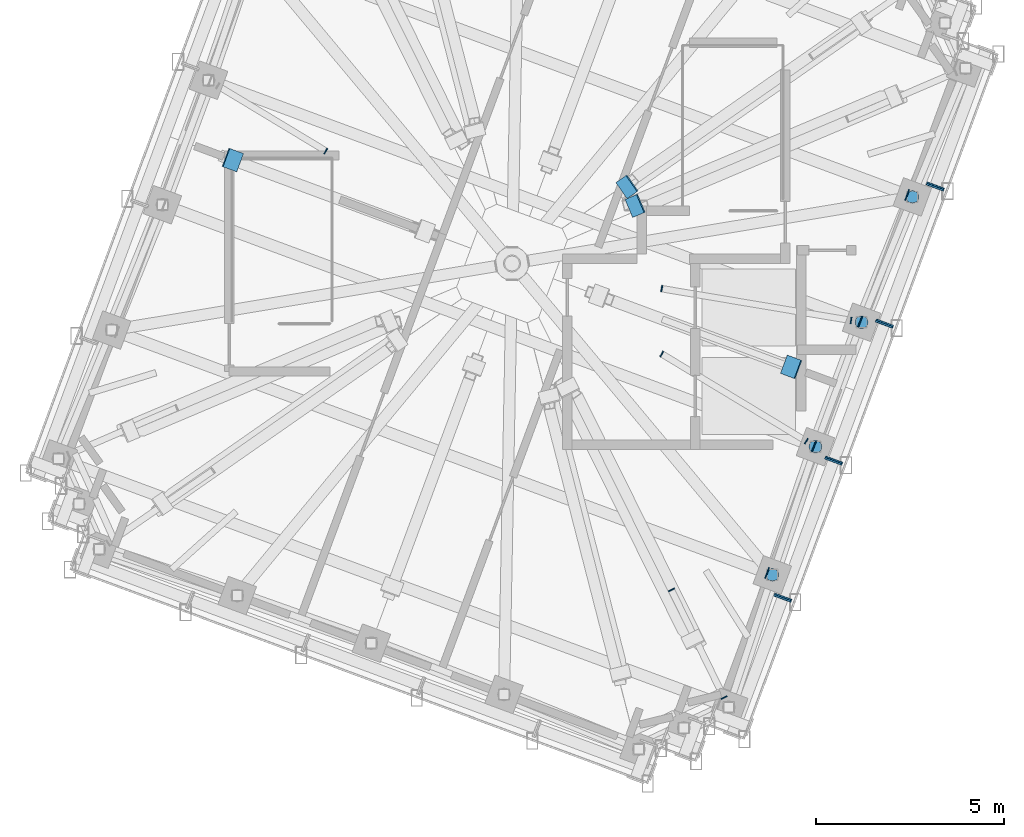
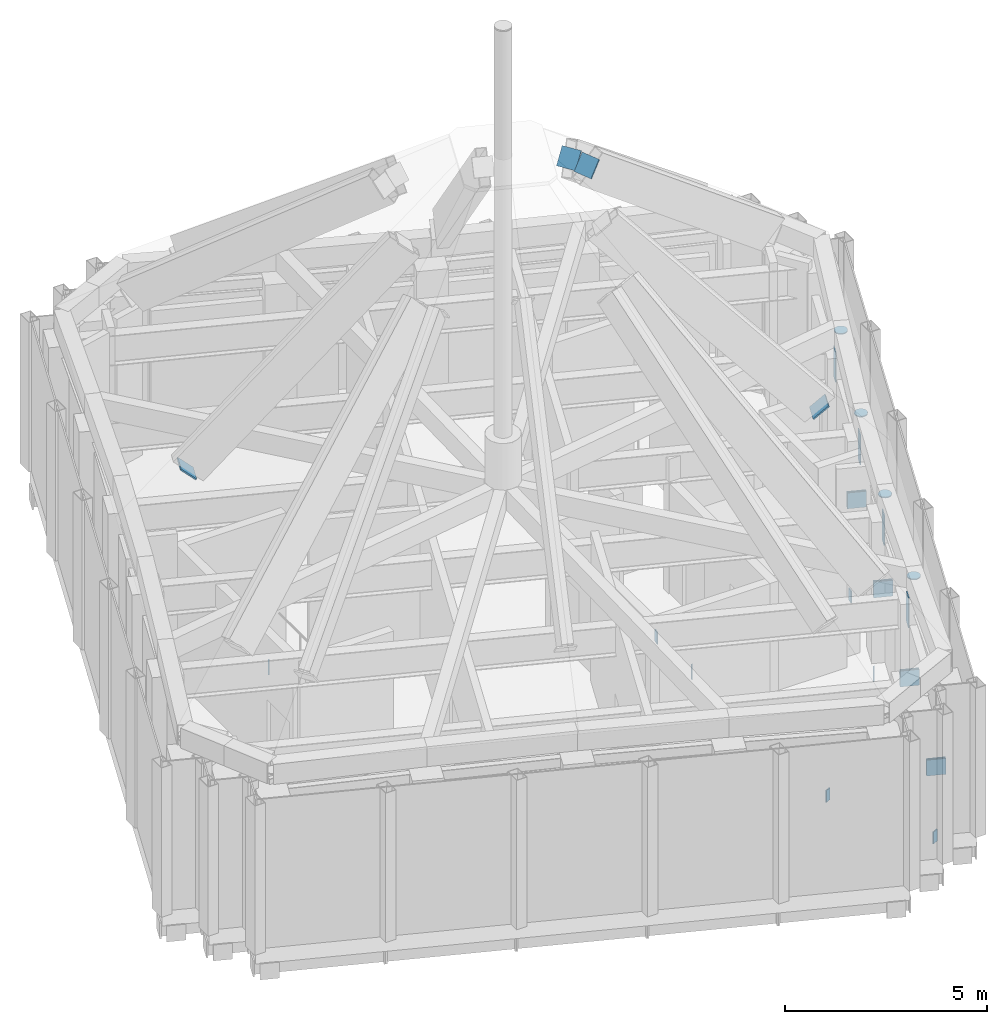
# One storey, part 10 of 14: 27 discrete accessories, 9 elements without a shape of their own.
"""IFC4 building model written with IfcOpenShell, lengths in metres."""

import ifcopenshell
import ifcopenshell.guid

model = None  # the IFC model being written
_history = None  # IfcOwnerHistory: only IFC2X3 demands one
_inside = {}  # id of a spatial element -> (the spatial element, [elements in it])
_under = {}  # id of a project, library or spatial element -> (it, [spatial elements below it])
_declared = {}  # id of a project -> (the project, [libraries it declares])
_typed = {}  # id of a type object -> (the type object, [elements of that type])
_made_of = {}  # id of a material, layer set ... -> (it, [elements and type objects made of it])


def new_model(schema):
    """Start an empty IFC model of exactly this schema.

    Asked for "IFC4X3", IfcOpenShell would pick the latest addendum, in which some entities
    have other attributes; the version numbers below select the first issue.
    IFC2X3 requires an IfcOwnerHistory on every rooted entity: one is made here for all.
    """
    global model, _history
    if schema == "IFC4X3":
        model = ifcopenshell.file(schema_version=(4, 3, 0, 0))
    else:
        model = ifcopenshell.file(schema=schema)
    _inside.clear()
    _under.clear()
    _declared.clear()
    _typed.clear()
    _made_of.clear()
    _history = None
    if model.schema == "IFC2X3":
        org = make("IfcOrganization", Name="unknown")
        user = make(
            "IfcPersonAndOrganization",
            ThePerson=make("IfcPerson", FamilyName="unknown"),
            TheOrganization=org,
        )
        app = make(
            "IfcApplication",
            ApplicationDeveloper=org,
            Version="unknown",
            ApplicationFullName="unknown",
            ApplicationIdentifier="unknown",
        )
        _history = make(
            "IfcOwnerHistory",
            OwningUser=user,
            OwningApplication=app,
            ChangeAction="ADDED",
            CreationDate=0,
        )
    return model


def make(cls, **values):
    """One entity of the class cls with the attributes given. An attribute that is None is left unset."""
    return model.create_entity(
        cls, **{name: value for name, value in values.items() if value is not None}
    )


def rooted(cls, **values):
    """An entity with a GlobalId (a new one), such as an element, a storey or a relation."""
    return make(cls, GlobalId=ifcopenshell.guid.new(), OwnerHistory=_history, **values)


def si_unit(unit_type, name, prefix=None):
    """IfcSIUnit, for example si_unit("LENGTHUNIT", "METRE", prefix="MILLI")."""
    return make("IfcSIUnit", UnitType=unit_type, Prefix=prefix, Name=name)


def assignment(units):
    """IfcUnitAssignment: the units of a project."""
    return None if units is None else make("IfcUnitAssignment", Units=units)


def point(xyz):
    """IfcCartesianPoint."""
    return None if xyz is None else make("IfcCartesianPoint", Coordinates=xyz)


def direction(xyz):
    """IfcDirection."""
    return None if xyz is None else make("IfcDirection", DirectionRatios=xyz)


def frame(location, z_axis=None, x_axis=None):
    """IfcAxis2Placement3D, a coordinate frame: its origin and axes. An axis left out is left unset."""
    return make(
        "IfcAxis2Placement3D",
        Location=point(location),
        Axis=direction(z_axis),
        RefDirection=direction(x_axis),
    )


def origin():
    """The frame at (0, 0, 0) with its axes left unset."""
    return frame((0.0, 0.0, 0.0))


def place(relative_to, where):
    """IfcLocalPlacement: puts the frame where relative to a parent placement (None: the world)."""
    return make(
        "IfcLocalPlacement", PlacementRelTo=relative_to, RelativePlacement=where
    )


def context(
    kind, dimensions, precision=None, world=None, true_north=None, identifier=None
):
    """IfcGeometricRepresentationContext, for example the 3D "Model" context."""
    return make(
        "IfcGeometricRepresentationContext",
        ContextIdentifier=identifier,
        ContextType=kind,
        CoordinateSpaceDimension=dimensions,
        Precision=precision,
        WorldCoordinateSystem=world,
        TrueNorth=true_north,
    )


def subcontext(parent, identifier, kind, view, scale=None):
    """IfcGeometricRepresentationSubContext, for example "Body" below "Model"."""
    return make(
        "IfcGeometricRepresentationSubContext",
        ContextIdentifier=identifier,
        ContextType=kind,
        ParentContext=parent,
        TargetScale=scale,
        TargetView=view,
    )


def project(units=None, contexts=None):
    """IfcProject with its units and contexts."""
    return rooted(
        "IfcProject",
        Name="project",
        RepresentationContexts=contexts,
        UnitsInContext=assignment(units),
    )


def spatial(cls, under=None, at=None, **own):
    """A site, building, storey or space (cls), placed at a placement, below another one or the project."""
    s = rooted(cls, ObjectPlacement=at, **own)
    if under is not None:
        _under.setdefault(under.id(), (under, []))[1].append(s)
    return s


def polyline(points):
    """IfcPolyline through the points."""
    return make("IfcPolyline", Points=[point(p) for p in points])


def outline(outer, holes=None, kind="AREA"):
    """IfcArbitraryClosedProfileDef: a profile drawn as a closed curve; with holes, ...WithVoids."""
    if holes is None:
        return make("IfcArbitraryClosedProfileDef", ProfileType=kind, OuterCurve=outer)
    return make(
        "IfcArbitraryProfileDefWithVoids",
        ProfileType=kind,
        OuterCurve=outer,
        InnerCurves=holes,
    )


def extrude(swept, where, along, depth):
    """IfcExtrudedAreaSolid: the profile swept, set in the frame where, extruded along a direction by depth."""
    return make(
        "IfcExtrudedAreaSolid",
        SweptArea=swept,
        Position=where,
        ExtrudedDirection=direction(along),
        Depth=depth,
    )


def shape(context_of_items, identifier, shape_type, items):
    """IfcShapeRepresentation: the items that make up one representation, for example the "Body"."""
    return make(
        "IfcShapeRepresentation",
        ContextOfItems=context_of_items,
        RepresentationIdentifier=identifier,
        RepresentationType=shape_type,
        Items=items,
    )


def material(Name=None, Category=None):
    """IfcMaterial."""
    return make("IfcMaterial", Name=Name, Category=Category)


def layer(
    of_material, thickness, ventilated=None, Name=None, Category=None, Priority=None
):
    """IfcMaterialLayer: one layer of a wall or slab, of a material (None: an air gap)."""
    return make(
        "IfcMaterialLayer",
        Material=of_material,
        LayerThickness=thickness,
        IsVentilated=ventilated,
        Name=Name,
        Category=Category,
        Priority=Priority,
    )


def layer_set(layers, Name=None):
    """IfcMaterialLayerSet."""
    return make("IfcMaterialLayerSet", MaterialLayers=layers, LayerSetName=Name)


def made_of(thing, what):
    """Note that an element or type object is made of a material, layer set ...; save() writes the relation."""
    if what is not None:
        _made_of.setdefault(what.id(), (what, []))[1].append(thing)
    return thing


def type_object(cls, material=None, **own):
    """A type object (cls), such as IfcWallType, which elements share."""
    return made_of(rooted(cls, **own), material)


def element(
    cls,
    number,
    at=None,
    inside=None,
    cuts=None,
    type_object=None,
    material=None,
    context=None,
    identifier="Body",
    shape_type=None,
    held_by="IfcProductDefinitionShape",
    body=None,
    shapes=None,
    **own,
):
    """One element of the class cls, such as IfcWall. Its Tag is "e" and its number.

    at: its placement. inside: the storey or other place that contains it. cuts: it is an
    opening in that element (IfcRelVoidsElement). A single representation is given by context,
    identifier, shape_type and body (its items); several are given by shapes. held_by: the class
    of the entity that holds the representations. save() writes the other relations.
    """
    e = rooted(cls, Tag="e%d" % number, ObjectPlacement=at, **own)
    if body is not None:
        shapes = [shape(context, identifier, shape_type, body)]
    if shapes is not None:
        e.Representation = make(held_by, Representations=shapes)
    if inside is not None:
        _inside.setdefault(inside.id(), (inside, []))[1].append(e)
    if cuts is not None:
        rooted(
            "IfcRelVoidsElement", RelatingBuildingElement=cuts, RelatedOpeningElement=e
        )
    if type_object is not None:
        _typed.setdefault(type_object.id(), (type_object, []))[1].append(e)
    return made_of(e, material)


def aggregate(whole, parts):
    """IfcRelAggregates: a whole, such as a stair, and the parts it consists of."""
    return rooted("IfcRelAggregates", RelatingObject=whole, RelatedObjects=parts)


def save(model, path):
    """Write the relations noted so far, then the file.

    IfcRelAggregates (storeys below a building ...), IfcRelContainedInSpatialStructure (elements
    in a storey), IfcRelDefinesByType, IfcRelAssociatesMaterial and IfcRelDeclares: one each for
    every whole, place, type object, material and project.
    """
    for whole, parts in _under.values():
        aggregate(whole, parts)
    for where, things in _inside.values():
        rooted(
            "IfcRelContainedInSpatialStructure",
            RelatedElements=things,
            RelatingStructure=where,
        )
    for kind, things in _typed.values():
        rooted("IfcRelDefinesByType", RelatedObjects=things, RelatingType=kind)
    for what, things in _made_of.values():
        rooted("IfcRelAssociatesMaterial", RelatedObjects=things, RelatingMaterial=what)
    for by, libraries in _declared.values():
        rooted("IfcRelDeclares", RelatingContext=by, RelatedDefinitions=libraries)
    model.write(path)


model = new_model("IFC4")

# Units and contexts
model_context = context("Model", 3, precision=1e-05, world=origin(), true_north=direction((0.0, 1.0)))
body_context = subcontext(model_context, "Body", "Model", "MODEL_VIEW")
ifc_project = project(units=[si_unit("LENGTHUNIT", "METRE"), si_unit("AREAUNIT", "SQUARE_METRE"), si_unit("VOLUMEUNIT", "CUBIC_METRE"), si_unit("PLANEANGLEUNIT", "RADIAN"), si_unit("MASSUNIT", "GRAM", prefix="KILO")], contexts=[model_context])

# Site, building, storey
site_placement = place(None, origin())
site = spatial("IfcSite", under=ifc_project, at=site_placement, CompositionType="ELEMENT")
building_placement = place(site_placement, origin())
building = spatial("IfcBuilding", under=site, at=building_placement, Name="Cantera Rosa Tower", CompositionType="ELEMENT")
storey_placement = place(building_placement, frame((0.0, 0.0, 374.199951171875)))
storey = spatial("IfcBuildingStorey", under=building, at=storey_placement, Name="L84", CompositionType="ELEMENT", Elevation=374.199951171875)

# Discrete accessories
ifc_material_1 = material(Name="Steel S355J2 (EN 10025-2)", Category="steel")
ifc_layer = layer(ifc_material_1, 0.030029296875)
ifc_layer_set = layer_set([ifc_layer], Name="NODE PLATE 30")
discrete_accessory_type = type_object("IfcDiscreteAccessoryType", Name="NODE PLATE 30", PredefinedType="ANCHORPLATE", material=ifc_layer_set)
discrete_accessory_1_placement = place(storey_placement, frame((0.0, 0.0, 3.345947265625)))
element("IfcDiscreteAccessory", 1, at=discrete_accessory_1_placement, inside=storey, type_object=discrete_accessory_type, Name="END PLATE RG-Z6-02A", PredefinedType="ANCHORPLATE", context=body_context, shape_type="SweptSolid", body=[
    extrude(outline(polyline([(6.721923828125, -8.373046875), (6.75, -8.38330078125), (6.85595703125, -8.097412109375), (6.827880859375, -8.0869140625), (6.721923828125, -8.373046875)])), origin(), (0.0, 0.0, 1.0), 0.904052734375),
])
discrete_accessory_2_placement = place(storey_placement, frame((0.0, 0.0, 3.345947265625)))
element("IfcDiscreteAccessory", 2, at=discrete_accessory_2_placement, inside=storey, type_object=discrete_accessory_type, Name="END PLATE RG-Z6-03A", PredefinedType="ANCHORPLATE", context=body_context, shape_type="SweptSolid", body=[
    extrude(outline(polyline([(7.971435546875, -5.0009765625), (7.99951171875, -5.011474609375), (8.10546875, -4.7255859375), (8.077392578125, -4.715087890625), (7.971435546875, -5.0009765625)])), origin(), (0.0, 0.0, 1.0), 0.904052734375),
])
discrete_accessory_3_placement = place(storey_placement, frame((0.0, 0.0, 3.345947265625)))
element("IfcDiscreteAccessory", 3, at=discrete_accessory_3_placement, inside=storey, type_object=discrete_accessory_type, Name="END PLATE RG-Z6-04A", PredefinedType="ANCHORPLATE", context=body_context, shape_type="SweptSolid", body=[
    extrude(outline(polyline([(9.199462890625, -1.687255859375), (9.2275390625, -1.69775390625), (9.33349609375, -1.41162109375), (9.305419921875, -1.4013671875), (9.199462890625, -1.687255859375)])), origin(), (0.0, 0.0, 1.0), 0.904052734375),
])
discrete_accessory_4_placement = place(storey_placement, frame((0.0, 0.0, 3.345947265625)))
element("IfcDiscreteAccessory", 4, at=discrete_accessory_4_placement, inside=storey, type_object=discrete_accessory_type, Name="END PLATE RG-Z6-05A", PredefinedType="ANCHORPLATE", context=body_context, shape_type="SweptSolid", body=[
    extrude(outline(polyline([(10.448974609375, 1.6845703125), (10.47705078125, 1.67431640625), (10.5830078125, 1.960205078125), (10.554931640625, 1.970703125), (10.448974609375, 1.6845703125)])), origin(), (0.0, 0.0, 1.0), 0.904052734375),
])

# Curtain wall, discrete accessory
ifc_material_2 = material(Name="Aluminium frame with clear glass", Category="aluminium")
curtain_wall_type = type_object("IfcCurtainWallType", Name="CW4 CROWN GLAZING", PredefinedType="NOTDEFINED", material=ifc_material_2)
curtain_wall_1_placement = place(storey_placement, origin())
curtain_wall_1 = element("IfcCurtainWall", 5, at=curtain_wall_1_placement, inside=storey, type_object=curtain_wall_type, Name="CW4 L84-28", PredefinedType="NOTDEFINED")
discrete_accessory_5_placement = place(storey_placement, frame((6.99755859375, -8.773193359375, -0.43505859375), z_axis=(0.347496626235, 0.937681233018, 0.0), x_axis=(0.937681233018, -0.347496626235, 0.0)))
discrete_accessory_5 = element("IfcDiscreteAccessory", 6, at=discrete_accessory_5_placement, type_object=discrete_accessory_type, Name="END PLATE TE1", PredefinedType="ANCHORPLATE", context=body_context, shape_type="SweptSolid", body=[
    extrude(outline(polyline([(0.0, 0.0), (0.4798551533622547, 0.0), (0.4798551533622547, 0.47998046875), (0.0, 0.47998046875), (0.0, 0.0)])), origin(), (0.0, 0.0, -1.0), 0.0400390625),
])
aggregate(curtain_wall_1, [discrete_accessory_5])

# Curtain wall, discrete accessories
curtain_wall_2_placement = place(storey_placement, origin())
curtain_wall_2 = element("IfcCurtainWall", 7, at=curtain_wall_2_placement, inside=storey, type_object=curtain_wall_type, Name="CW4 L84-29", PredefinedType="NOTDEFINED")
discrete_accessory_6_placement = place(storey_placement, frame((7.419921875, -9.014892578125, -0.43505859375), z_axis=(-0.347330918501, -0.937742626232, 0.0), x_axis=(-0.937742626232, 0.347330918501, 0.0)))
discrete_accessory_6 = element("IfcDiscreteAccessory", 8, at=discrete_accessory_6_placement, type_object=discrete_accessory_type, Name="END PLATE TE0", PredefinedType="ANCHORPLATE", context=body_context, shape_type="SweptSolid", body=[
    extrude(outline(polyline([(0.0, 0.0), (0.4800840869406107, 0.0), (0.4800840869406107, 0.47998046875), (0.0, 0.47998046875), (0.0, 0.0)])), origin(), (0.0, 0.0, -1.0), 0.0400390625),
])
discrete_accessory_7_placement = place(storey_placement, frame((8.34912109375, -5.12548828125, -0.43505859375), z_axis=(0.347777987911, 0.937576914778, 0.0), x_axis=(0.937576914778, -0.347777987911, 0.0)))
discrete_accessory_7 = element("IfcDiscreteAccessory", 9, at=discrete_accessory_7_placement, type_object=discrete_accessory_type, Name="END PLATE TE1", PredefinedType="ANCHORPLATE", context=body_context, shape_type="SweptSolid", body=[
    extrude(outline(polyline([(0.0, 0.0), (0.4801689391068604, 0.0), (0.4801689391068604, 0.47998046875), (0.0, 0.47998046875), (0.0, 0.0)])), origin(), (0.0, 0.0, -1.0), 0.0400390625),
])
aggregate(curtain_wall_2, [discrete_accessory_6, discrete_accessory_7])

curtain_wall_3_placement = place(storey_placement, origin())
curtain_wall_3 = element("IfcCurtainWall", 10, at=curtain_wall_3_placement, inside=storey, type_object=curtain_wall_type, Name="CW4 L84-30", PredefinedType="NOTDEFINED")
discrete_accessory_8_placement = place(storey_placement, frame((8.771484375, -5.367431640625, -0.43505859375), z_axis=(-0.347496626235, -0.937681233018, 0.0), x_axis=(-0.937681233018, 0.347496626235, 0.0)))
discrete_accessory_8 = element("IfcDiscreteAccessory", 11, at=discrete_accessory_8_placement, type_object=discrete_accessory_type, Name="END PLATE TE0", PredefinedType="ANCHORPLATE", context=body_context, shape_type="SweptSolid", body=[
    extrude(outline(polyline([(0.0, 0.0), (0.4798551533622547, 0.0), (0.4798551533622547, 0.47998046875), (0.0, 0.47998046875), (0.0, 0.0)])), origin(), (0.0, 0.0, -1.0), 0.0400390625),
])
discrete_accessory_9_placement = place(storey_placement, frame((9.700927734375, -1.47802734375, -0.43505859375), z_axis=(0.347330918501, 0.937742626232, 0.0), x_axis=(0.937742626232, -0.347330918501, 0.0)))
discrete_accessory_9 = element("IfcDiscreteAccessory", 12, at=discrete_accessory_9_placement, type_object=discrete_accessory_type, Name="END PLATE TE1", PredefinedType="ANCHORPLATE", context=body_context, shape_type="SweptSolid", body=[
    extrude(outline(polyline([(0.0, 0.0), (0.4800840869406107, 0.0), (0.4800840869406107, 0.47998046875), (0.0, 0.47998046875), (0.0, 0.0)])), origin(), (0.0, 0.0, -1.0), 0.0400390625),
])
aggregate(curtain_wall_3, [discrete_accessory_8, discrete_accessory_9])

curtain_wall_4_placement = place(storey_placement, origin())
curtain_wall_4 = element("IfcCurtainWall", 13, at=curtain_wall_4_placement, inside=storey, type_object=curtain_wall_type, Name="CW4 L84-31", PredefinedType="NOTDEFINED")
discrete_accessory_10_placement = place(storey_placement, frame((10.123291015625, -1.7197265625, -0.43505859375), z_axis=(-0.347330918501, -0.937742626232, 0.0), x_axis=(-0.937742626232, 0.347330918501, 0.0)))
discrete_accessory_10 = element("IfcDiscreteAccessory", 14, at=discrete_accessory_10_placement, type_object=discrete_accessory_type, Name="END PLATE TE0", PredefinedType="ANCHORPLATE", context=body_context, shape_type="SweptSolid", body=[
    extrude(outline(polyline([(0.0, 0.0), (0.4800840869406107, 0.0), (0.4800840869406107, 0.47998046875), (0.0, 0.47998046875), (0.0, 0.0)])), origin(), (0.0, 0.0, -1.0), 0.0400390625),
])
discrete_accessory_11_placement = place(storey_placement, frame((11.052734375, 2.169677734375, -0.43505859375), z_axis=(0.347496626235, 0.937681233018, 0.0), x_axis=(0.937681233018, -0.347496626235, 0.0)))
discrete_accessory_11 = element("IfcDiscreteAccessory", 15, at=discrete_accessory_11_placement, type_object=discrete_accessory_type, Name="END PLATE TE1", PredefinedType="ANCHORPLATE", context=body_context, shape_type="SweptSolid", body=[
    extrude(outline(polyline([(0.0, 0.0), (0.4798551533622547, 0.0), (0.4798551533622547, 0.47998046875), (0.0, 0.47998046875), (0.0, 0.0)])), origin(), (0.0, 0.0, -1.0), 0.0400390625),
])
aggregate(curtain_wall_4, [discrete_accessory_10, discrete_accessory_11])

# Curtain wall, discrete accessory
curtain_wall_5_placement = place(storey_placement, origin())
curtain_wall_5 = element("IfcCurtainWall", 16, at=curtain_wall_5_placement, inside=storey, type_object=curtain_wall_type, Name="CW4 L84-32", PredefinedType="NOTDEFINED")
discrete_accessory_12_placement = place(storey_placement, frame((11.474853515625, 1.927734375, -0.43505859375), z_axis=(-0.347496626235, -0.937681233018, 0.0), x_axis=(-0.937681233018, 0.347496626235, 0.0)))
discrete_accessory_12 = element("IfcDiscreteAccessory", 17, at=discrete_accessory_12_placement, type_object=discrete_accessory_type, Name="END PLATE TE0", PredefinedType="ANCHORPLATE", context=body_context, shape_type="SweptSolid", body=[
    extrude(outline(polyline([(0.0, 0.0), (0.4798551533622547, 0.0), (0.4798551533622547, 0.47998046875), (0.0, 0.47998046875), (0.0, 0.0)])), origin(), (0.0, 0.0, -1.0), 0.0400390625),
])
aggregate(curtain_wall_5, [discrete_accessory_12])

curtain_wall_6_placement = place(storey_placement, origin())
curtain_wall_6 = element("IfcCurtainWall", 18, at=curtain_wall_6_placement, inside=storey, type_object=curtain_wall_type, Name="CW4 L84-05", PredefinedType="NOTDEFINED")
discrete_accessory_13_placement = place(storey_placement, frame((7.69091796875, -2.57275390625, 6.548583984375), z_axis=(-0.620504988475, 0.229931743351, 0.749736588862), x_axis=(-0.347467280762, -0.937692107677, 0.0)))
discrete_accessory_13 = element("IfcDiscreteAccessory", 19, at=discrete_accessory_13_placement, type_object=discrete_accessory_type, Name="END PLATE RE0", PredefinedType="ANCHORPLATE", context=body_context, shape_type="SweptSolid", body=[
    extrude(outline(polyline([(0.0, 0.0), (0.5199455387683067, 0.0), (0.5199667464880798, -0.5202045519117284), (2.1207719773062626e-05, -0.5202045519117284), (0.0, 0.0)])), origin(), (0.0, 0.0, -1.0), 0.0400390625),
])
aggregate(curtain_wall_6, [discrete_accessory_13])

curtain_wall_7_placement = place(storey_placement, origin())
curtain_wall_7 = element("IfcCurtainWall", 20, at=curtain_wall_7_placement, inside=storey, type_object=curtain_wall_type, Name="CW4 L84-06", PredefinedType="NOTDEFINED")
discrete_accessory_14_placement = place(storey_placement, frame((3.516357421875, 1.353759765625, 12.703369140625), z_axis=(-0.710406879892, -0.30104442488, 0.636155892255), x_axis=(-0.390176020892, 0.920740285162, 0.0)))
discrete_accessory_14 = element("IfcDiscreteAccessory", 21, at=discrete_accessory_14_placement, type_object=discrete_accessory_type, Name="END PLATE RE1", PredefinedType="ANCHORPLATE", context=body_context, shape_type="SweptSolid", body=[
    extrude(outline(polyline([(0.0, 0.0), (0.5199726495519197, -2.7755575615628914e-17), (0.5199404384246684, 0.5202018014376186), (-3.2211127251227656e-05, 0.5202018014376186), (0.0, 0.0)])), origin(), (0.0, 0.0, -1.0), 0.0400390625),
])
aggregate(curtain_wall_7, [discrete_accessory_14])

curtain_wall_8_placement = place(storey_placement, origin())
curtain_wall_8 = element("IfcCurtainWall", 22, at=curtain_wall_8_placement, inside=storey, type_object=curtain_wall_type, Name="CW4 L84-07", PredefinedType="NOTDEFINED")
discrete_accessory_15_placement = place(storey_placement, frame((3.33056640625, 1.912841796875, 12.6923828125), z_axis=(-0.637196303178, -0.444250198782, 0.629779828272), x_axis=(-0.571917153745, 0.820311385544, 0.0)))
discrete_accessory_15 = element("IfcDiscreteAccessory", 23, at=discrete_accessory_15_placement, type_object=discrete_accessory_type, Name="END PLATE RE1", PredefinedType="ANCHORPLATE", context=body_context, shape_type="SweptSolid", body=[
    extrude(outline(polyline([(0.0, 0.0), (0.5199411825697805, 5.551115123125783e-17), (0.5199241016145315, 0.5198535920267224), (-1.70809552489104e-05, 0.5198535920267224), (0.0, 0.0)])), origin(), (0.0, 0.0, -1.0), 0.0400390625),
])
aggregate(curtain_wall_8, [discrete_accessory_15])

curtain_wall_9_placement = place(storey_placement, origin())
curtain_wall_9 = element("IfcCurtainWall", 24, at=curtain_wall_9_placement, inside=storey, type_object=curtain_wall_type, Name="CW4 L84-11", PredefinedType="NOTDEFINED")
discrete_accessory_16_placement = place(storey_placement, frame((-7.69091796875, 2.57275390625, 6.548583984375), z_axis=(0.620504988475, -0.229931743351, 0.749736588862), x_axis=(0.347467280762, 0.937692107677, 0.0)))
discrete_accessory_16 = element("IfcDiscreteAccessory", 25, at=discrete_accessory_16_placement, type_object=discrete_accessory_type, Name="END PLATE RE0", PredefinedType="ANCHORPLATE", context=body_context, shape_type="SweptSolid", body=[
    extrude(outline(polyline([(0.0, 0.0), (0.5199455387683067, 0.0), (0.5199667464880798, -0.5202045519117284), (2.1207719773062626e-05, -0.5202045519117284), (0.0, 0.0)])), origin(), (0.0, 0.0, -1.0), 0.0400390625),
])
aggregate(curtain_wall_9, [discrete_accessory_16])

# Discrete accessories
discrete_accessory_17_placement = place(storey_placement, frame((0.0, 0.0, 4.78515625)))
element("IfcDiscreteAccessory", 26, at=discrete_accessory_17_placement, inside=storey, type_object=discrete_accessory_type, Name="NODE PLATE 11", PredefinedType="ANCHORPLATE", context=body_context, shape_type="SweptSolid", body=[
    extrude(outline(polyline([(7.09765625, -8.286865234375), (7.084716796875, -8.2216796875), (7.0478515625, -8.166748046875), (6.99267578125, -8.1298828125), (6.927490234375, -8.116943359375), (6.862548828125, -8.1298828125), (6.807373046875, -8.166748046875), (6.7705078125, -8.2216796875), (6.757568359375, -8.286865234375), (6.7705078125, -8.351806640625), (6.807373046875, -8.406982421875), (6.862548828125, -8.44384765625), (6.927490234375, -8.456787109375), (6.99267578125, -8.44384765625), (7.0478515625, -8.406982421875), (7.084716796875, -8.351806640625), (7.09765625, -8.286865234375)])), origin(), (0.0, 0.0, 1.0), 0.02978515625),
])
discrete_accessory_18_placement = place(storey_placement, frame((0.0, 0.0, 4.78515625)))
element("IfcDiscreteAccessory", 27, at=discrete_accessory_18_placement, inside=storey, type_object=discrete_accessory_type, Name="NODE PLATE 12", PredefinedType="ANCHORPLATE", context=body_context, shape_type="SweptSolid", body=[
    extrude(outline(polyline([(8.245361328125, -4.876953125), (8.232421875, -4.81201171875), (8.195556640625, -4.7568359375), (8.140380859375, -4.719970703125), (8.075439453125, -4.70703125), (8.01025390625, -4.719970703125), (7.955078125, -4.7568359375), (7.918212890625, -4.81201171875), (7.9052734375, -4.876953125), (7.918212890625, -4.942138671875), (7.955078125, -4.997314453125), (8.01025390625, -5.033935546875), (8.075439453125, -5.046875), (8.140380859375, -5.033935546875), (8.195556640625, -4.997314453125), (8.232421875, -4.942138671875), (8.245361328125, -4.876953125)])), origin(), (0.0, 0.0, 1.0), 0.02978515625),
])
discrete_accessory_19_placement = place(storey_placement, frame((0.0, 0.0, 4.78515625)))
element("IfcDiscreteAccessory", 28, at=discrete_accessory_19_placement, inside=storey, type_object=discrete_accessory_type, Name="NODE PLATE 13", PredefinedType="ANCHORPLATE", context=body_context, shape_type="SweptSolid", body=[
    extrude(outline(polyline([(9.473388671875, -1.56298828125), (9.46044921875, -1.498046875), (9.423583984375, -1.44287109375), (9.368408203125, -1.406005859375), (9.303466796875, -1.39306640625), (9.23828125, -1.406005859375), (9.18310546875, -1.44287109375), (9.146240234375, -1.498046875), (9.13330078125, -1.56298828125), (9.146240234375, -1.628173828125), (9.18310546875, -1.683349609375), (9.23828125, -1.72021484375), (9.303466796875, -1.733154296875), (9.368408203125, -1.72021484375), (9.423583984375, -1.683349609375), (9.46044921875, -1.628173828125), (9.473388671875, -1.56298828125)])), origin(), (0.0, 0.0, 1.0), 0.02978515625),
])
discrete_accessory_20_placement = place(storey_placement, frame((0.0, 0.0, 4.78515625)))
element("IfcDiscreteAccessory", 29, at=discrete_accessory_20_placement, inside=storey, type_object=discrete_accessory_type, Name="NODE PLATE 14", PredefinedType="ANCHORPLATE", context=body_context, shape_type="SweptSolid", body=[
    extrude(outline(polyline([(10.82470703125, 1.771240234375), (10.811767578125, 1.83642578125), (10.775146484375, 1.8916015625), (10.719970703125, 1.928466796875), (10.65478515625, 1.94140625), (10.58984375, 1.928466796875), (10.53466796875, 1.8916015625), (10.497802734375, 1.83642578125), (10.48486328125, 1.771240234375), (10.497802734375, 1.706298828125), (10.53466796875, 1.651123046875), (10.58984375, 1.6142578125), (10.65478515625, 1.601318359375), (10.719970703125, 1.6142578125), (10.775146484375, 1.651123046875), (10.811767578125, 1.706298828125), (10.82470703125, 1.771240234375)])), origin(), (0.0, 0.0, 1.0), 0.02978515625),
])
discrete_accessory_21_placement = place(storey_placement, frame((0.0, 0.0, -0.805908203125)))
element("IfcDiscreteAccessory", 30, at=discrete_accessory_21_placement, inside=storey, type_object=discrete_accessory_type, Name="END PLATE CG-Z6-03 L84 B", PredefinedType="ANCHORPLATE", context=body_context, shape_type="SweptSolid", body=[
    extrude(outline(polyline([(-4.92333984375, 3.0732421875), (-4.8974609375, 3.0576171875), (-4.98583984375, 2.911376953125), (-5.01171875, 2.9267578125), (-4.92333984375, 3.0732421875)])), origin(), (0.0, 0.0, 1.0), 0.35595703125),
])
discrete_accessory_22_placement = place(storey_placement, frame((0.0, 0.0, -0.805908203125)))
element("IfcDiscreteAccessory", 31, at=discrete_accessory_22_placement, inside=storey, type_object=discrete_accessory_type, Name="END PLATE CG-Z6-06 L84 A", PredefinedType="ANCHORPLATE", context=body_context, shape_type="SweptSolid", body=[
    extrude(outline(polyline([(5.71337890625, -11.502685546875), (5.7265625, -11.529541015625), (5.572998046875, -11.6044921875), (5.559814453125, -11.57763671875), (5.71337890625, -11.502685546875)])), origin(), (0.0, 0.0, 1.0), 0.35595703125),
])
discrete_accessory_23_placement = place(storey_placement, frame((0.0, 0.0, -0.805908203125)))
element("IfcDiscreteAccessory", 32, at=discrete_accessory_23_placement, inside=storey, type_object=discrete_accessory_type, Name="END PLATE CG-Z6-06 L84 B", PredefinedType="ANCHORPLATE", context=body_context, shape_type="SweptSolid", body=[
    extrude(outline(polyline([(4.172607421875, -8.73779296875), (4.159423828125, -8.710693359375), (4.31298828125, -8.6357421875), (4.326171875, -8.66259765625), (4.172607421875, -8.73779296875)])), origin(), (0.0, 0.0, 1.0), 0.35595703125),
])
discrete_accessory_24_placement = place(storey_placement, frame((0.0, 0.0, -0.805908203125)))
element("IfcDiscreteAccessory", 33, at=discrete_accessory_24_placement, inside=storey, type_object=discrete_accessory_type, Name="END PLATE CG-Z6-07 L84 A", PredefinedType="ANCHORPLATE", context=body_context, shape_type="SweptSolid", body=[
    extrude(outline(polyline([(7.86279296875, -4.648681640625), (7.888427734375, -4.664306640625), (7.800048828125, -4.810546875), (7.7744140625, -4.795166015625), (7.86279296875, -4.648681640625)])), origin(), (0.0, 0.0, 1.0), 0.35595703125),
])
discrete_accessory_25_placement = place(storey_placement, frame((0.0, 0.0, -0.805908203125)))
element("IfcDiscreteAccessory", 34, at=discrete_accessory_25_placement, inside=storey, type_object=discrete_accessory_type, Name="END PLATE CG-Z6-07 L84 B", PredefinedType="ANCHORPLATE", context=body_context, shape_type="SweptSolid", body=[
    extrude(outline(polyline([(3.955810546875, -2.489013671875), (3.93017578125, -2.473388671875), (4.0185546875, -2.3271484375), (4.044189453125, -2.342529296875), (3.955810546875, -2.489013671875)])), origin(), (0.0, 0.0, 1.0), 0.35595703125),
])
discrete_accessory_26_placement = place(storey_placement, frame((0.0, 0.0, -0.805908203125)))
element("IfcDiscreteAccessory", 35, at=discrete_accessory_26_placement, inside=storey, type_object=discrete_accessory_type, Name="END PLATE CG-Z6-08 L84 A", PredefinedType="ANCHORPLATE", context=body_context, shape_type="SweptSolid", body=[
    extrude(outline(polyline([(9.021728515625, -1.428955078125), (9.05126953125, -1.43408203125), (9.02294921875, -1.602783203125), (8.993408203125, -1.59765625), (9.021728515625, -1.428955078125)])), origin(), (0.0, 0.0, 1.0), 0.35595703125),
])
discrete_accessory_27_placement = place(storey_placement, frame((0.0, 0.0, -0.805908203125)))
element("IfcDiscreteAccessory", 36, at=discrete_accessory_27_placement, inside=storey, type_object=discrete_accessory_type, Name="END PLATE CG-Z6-08 L84 B", PredefinedType="ANCHORPLATE", context=body_context, shape_type="SweptSolid", body=[
    extrude(outline(polyline([(3.98583984375, -0.75634765625), (3.956298828125, -0.75146484375), (3.984619140625, -0.582763671875), (4.01416015625, -0.587646484375), (3.98583984375, -0.75634765625)])), origin(), (0.0, 0.0, 1.0), 0.35595703125),
])

save(model, "model.ifc")
